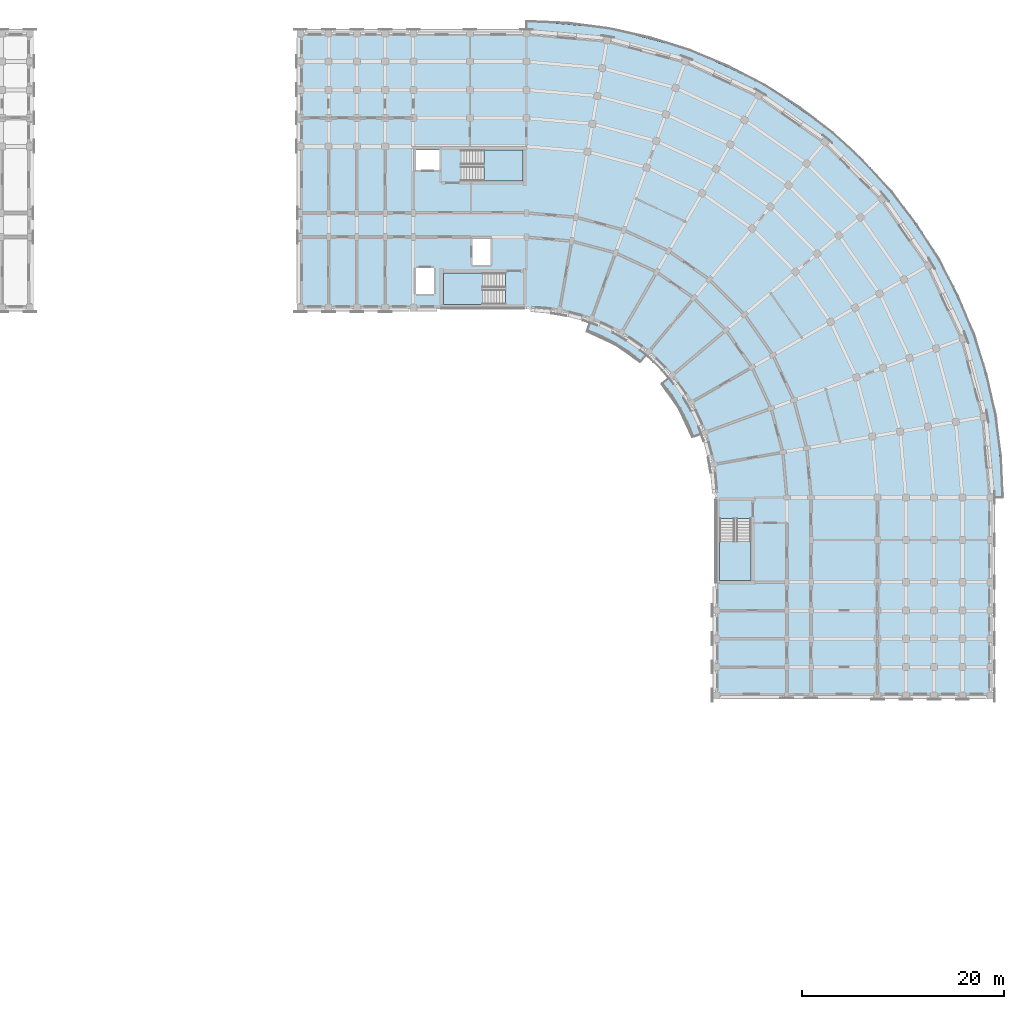
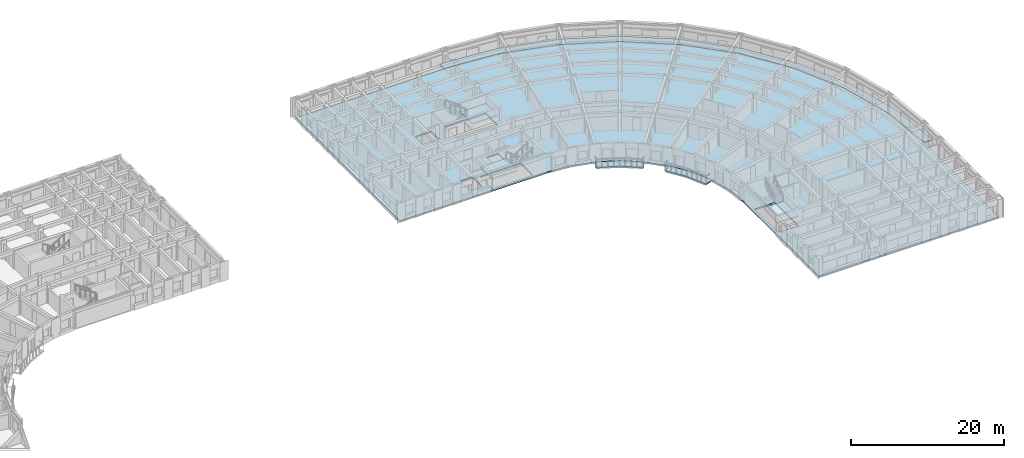
# One storey, part 16 of 57: 7 slabs, 3 elements without a shape of their own.
"""IFC4 building model written with IfcOpenShell, lengths in metres."""

from ifc_helpers import new_model, si_unit, direction, frame, origin, place, context, subcontext, project, spatial, polyline, outline, extrude, material, layer, layer_set, type_object, element, aggregate, save


model = new_model("IFC4")

# Units and contexts
model_context = context("Model", 3, precision=1e-05, world=origin(), true_north=direction((0.0, 1.0)))
body_context = subcontext(model_context, "Body", "Model", "MODEL_VIEW")
ifc_project = project(units=[si_unit("LENGTHUNIT", "METRE"), si_unit("AREAUNIT", "SQUARE_METRE"), si_unit("VOLUMEUNIT", "CUBIC_METRE"), si_unit("PLANEANGLEUNIT", "RADIAN"), si_unit("MASSUNIT", "GRAM", prefix="KILO")], contexts=[model_context])

# Site, building, storey
site_placement = place(None, origin())
site = spatial("IfcSite", under=ifc_project, at=site_placement, CompositionType="ELEMENT")
building_placement = place(site_placement, origin())
building = spatial("IfcBuilding", under=site, at=building_placement, Name="Kiranvali Square Residences", CompositionType="ELEMENT")
storey_placement = place(building_placement, frame((0.0, 0.0, 24.449951171875)))
storey = spatial("IfcBuildingStorey", under=building, at=storey_placement, Name="L07", CompositionType="ELEMENT", Elevation=24.449951171875)

# Slabs
ifc_material = material(Name="Concrete M35 (35 MPa)", Category="concrete")
ifc_layer_1 = layer(ifc_material, 0.179931640625)
ifc_layer_set_1 = layer_set([ifc_layer_1], Name="Concrete M35 (35 MPa)")
slab_type_1 = type_object("IfcSlabType", Name="SLB-BAL-180", PredefinedType="FLOOR", material=ifc_layer_set_1)
slab_1_placement = place(storey_placement, frame((0.0, 0.0, -0.179931640625)))
element("IfcSlab", 1, at=slab_1_placement, inside=storey, type_object=slab_type_1, Name="Block B L07 continuous curved corner balcony slab", PredefinedType="FLOOR", context=body_context, shape_type="SweptSolid", body=[
    extrude(outline(polyline([(119.800048828125, 133.800048828125), (127.787841796875, 133.10107421875), (135.532958984375, 131.02587890625), (142.800048828125, 127.63720703125), (149.3681640625, 123.0380859375), (155.0380859375, 117.3681640625), (159.63720703125, 110.800048828125), (163.02587890625, 103.532958984375), (165.10107421875, 95.787841796875), (165.800048828125, 87.800048828125), (167.050048828125, 87.800048828125), (166.332275390625, 96.0048828125), (164.200439453125, 103.96044921875), (160.7197265625, 111.425048828125), (155.99560546875, 118.171630859375), (150.171630859375, 123.99560546875), (143.425048828125, 128.7197265625), (135.96044921875, 132.200439453125), (128.0048828125, 134.332275390625), (119.800048828125, 135.050048828125), (119.800048828125, 133.800048828125)])), origin(), (0.0, 0.0, 1.0), 0.179931640625),
])
ifc_layer_2 = layer(ifc_material, 0.219970703125)
ifc_layer_set_2 = layer_set([ifc_layer_2], Name="Concrete M35 (35 MPa)")
slab_type_2 = type_object("IfcSlabType", Name="SLB-FLR-220", PredefinedType="FLOOR", material=ifc_layer_set_2)
slab_2_placement = place(storey_placement, frame((0.0, 0.0, -0.219970703125)))
element("IfcSlab", 2, at=slab_2_placement, inside=storey, type_object=slab_type_2, Name="Block B L07 structural floor slab", PredefinedType="FLOOR", context=body_context, shape_type="SweptSolid", body=[
    extrude(outline(polyline([(119.800048828125, 106.60009765625), (123.064697265625, 106.314453125), (126.22998046875, 105.46630859375), (129.199951171875, 104.081298828125), (131.884521484375, 102.20166015625), (134.20166015625, 99.884521484375), (136.081298828125, 97.199951171875), (137.46630859375, 94.22998046875), (138.314453125, 91.064697265625), (138.60009765625, 87.800048828125), (138.60009765625, 68.199951171875), (165.800048828125, 68.199951171875), (165.800048828125, 87.800048828125), (165.10107421875, 95.787841796875), (163.02587890625, 103.532958984375), (159.63720703125, 110.800048828125), (155.0380859375, 117.3681640625), (149.3681640625, 123.0380859375), (142.800048828125, 127.63720703125), (135.532958984375, 131.02587890625), (127.787841796875, 133.10107421875), (119.800048828125, 133.800048828125), (97.39990234375, 133.800048828125), (97.39990234375, 106.60009765625), (119.800048828125, 106.60009765625)]), holes=[polyline([(108.75, 120.25), (111.199951171875, 120.25), (111.199951171875, 122.25), (108.75, 122.25), (108.75, 120.25)]), polyline([(108.85009765625, 107.949951171875), (110.64990234375, 107.949951171875), (110.64990234375, 110.550048828125), (108.85009765625, 110.550048828125), (108.85009765625, 107.949951171875)]), polyline([(114.449951171875, 110.85009765625), (116.25, 110.85009765625), (116.25, 113.449951171875), (114.449951171875, 113.449951171875), (114.449951171875, 110.85009765625)]), polyline([(113.300048828125, 119.14990234375), (119.449951171875, 119.14990234375), (119.449951171875, 122.25), (113.300048828125, 122.25), (113.300048828125, 119.14990234375)]), polyline([(117.699951171875, 110.050048828125), (111.550048828125, 110.050048828125), (111.550048828125, 106.949951171875), (117.699951171875, 106.949951171875), (117.699951171875, 110.050048828125)]), polyline([(138.949951171875, 85.699951171875), (138.949951171875, 79.550048828125), (142.050048828125, 79.550048828125), (142.050048828125, 85.699951171875), (138.949951171875, 85.699951171875)])]), origin(), (0.0, 0.0, 1.0), 0.219970703125),
])
ifc_layer_3 = layer(ifc_material, 0.169921875)
ifc_layer_set_3 = layer_set([ifc_layer_3], Name="Concrete M35 (35 MPa)")
slab_type_3 = type_object("IfcSlabType", Name="SLB-GBAL-170", PredefinedType="FLOOR", material=ifc_layer_set_3)
slab_3_placement = place(storey_placement, frame((0.0, 0.0, -0.179931640625)))
element("IfcSlab", 3, at=slab_3_placement, inside=storey, type_object=slab_type_3, Name="Block B L07 garden balcony slab 1", PredefinedType="FLOOR", context=body_context, shape_type="SweptSolid", body=[
    extrude(outline(polyline([(125.802490234375, 104.29150390625), (128.574951171875, 102.998779296875), (131.080810546875, 101.244140625), (131.884521484375, 102.20166015625), (129.199951171875, 104.081298828125), (126.22998046875, 105.46630859375), (125.802490234375, 104.29150390625)])), origin(), (0.0, 0.0, 1.0), 0.179931640625),
])
slab_4_placement = place(storey_placement, frame((0.0, 0.0, -0.179931640625)))
element("IfcSlab", 4, at=slab_4_placement, inside=storey, type_object=slab_type_3, Name="Block B L07 garden balcony slab 2", PredefinedType="FLOOR", context=body_context, shape_type="SweptSolid", body=[
    extrude(outline(polyline([(133.244140625, 99.080810546875), (134.998779296875, 96.574951171875), (136.29150390625, 93.802490234375), (137.46630859375, 94.22998046875), (136.081298828125, 97.199951171875), (134.20166015625, 99.884521484375), (133.244140625, 99.080810546875)])), origin(), (0.0, 0.0, 1.0), 0.179931640625),
])

# Stair, slab
stair_type = type_object("IfcStairType", Name="ST-CORE-1700", PredefinedType="HALF_TURN_STAIR", material=ifc_material)
stair_1_placement = place(storey_placement, origin())
stair_1 = element("IfcStair", 5, at=stair_1_placement, inside=storey, type_object=stair_type, Name="L07 Block B Firefighting Exit Stair 1", PredefinedType="HALF_TURN_STAIR")
ifc_layer_4 = layer(ifc_material, 0.199951171875)
ifc_layer_set_4 = layer_set([ifc_layer_4], Name="Concrete M35 (35 MPa)")
slab_type_4 = type_object("IfcSlabType", Name="SLB-LND-200", PredefinedType="LANDING", material=ifc_layer_set_4)
slab_5_placement = place(storey_placement, frame((0.0, 0.0, 1.375)))
slab_5 = element("IfcSlab", 6, at=slab_5_placement, type_object=slab_type_4, Name="ST-B1 landing 1", PredefinedType="LANDING", context=body_context, shape_type="SweptSolid", body=[
    extrude(outline(polyline([(115.580078125, 119.14990234375), (119.449951171875, 119.14990234375), (119.449951171875, 122.25), (115.580078125, 122.25), (115.580078125, 119.14990234375)])), origin(), (0.0, 0.0, 1.0), 0.199951171875),
])
aggregate(stair_1, [slab_5])

stair_2_placement = place(storey_placement, origin())
stair_2 = element("IfcStair", 7, at=stair_2_placement, inside=storey, type_object=stair_type, Name="L07 Block B Protected Exit Stair 2", PredefinedType="HALF_TURN_STAIR")
slab_6_placement = place(storey_placement, frame((0.0, 0.0, 1.375)))
slab_6 = element("IfcSlab", 8, at=slab_6_placement, type_object=slab_type_4, Name="ST-B2 landing 1", PredefinedType="LANDING", context=body_context, shape_type="SweptSolid", body=[
    extrude(outline(polyline([(115.419921875, 110.050048828125), (111.550048828125, 110.050048828125), (111.550048828125, 106.949951171875), (115.419921875, 106.949951171875), (115.419921875, 110.050048828125)])), origin(), (0.0, 0.0, 1.0), 0.199951171875),
])
aggregate(stair_2, [slab_6])

stair_3_placement = place(storey_placement, origin())
stair_3 = element("IfcStair", 9, at=stair_3_placement, inside=storey, type_object=stair_type, Name="L07 Block B Wing Protected Exit Stair 3", PredefinedType="HALF_TURN_STAIR")
slab_7_placement = place(storey_placement, frame((0.0, 0.0, 1.375)))
slab_7 = element("IfcSlab", 10, at=slab_7_placement, type_object=slab_type_4, Name="ST-B3 landing 1", PredefinedType="LANDING", context=body_context, shape_type="SweptSolid", body=[
    extrude(outline(polyline([(138.949951171875, 83.419921875), (138.949951171875, 79.550048828125), (142.050048828125, 79.550048828125), (142.050048828125, 83.419921875), (138.949951171875, 83.419921875)])), origin(), (0.0, 0.0, 1.0), 0.199951171875),
])
aggregate(stair_3, [slab_7])

save(model, "model.ifc")
